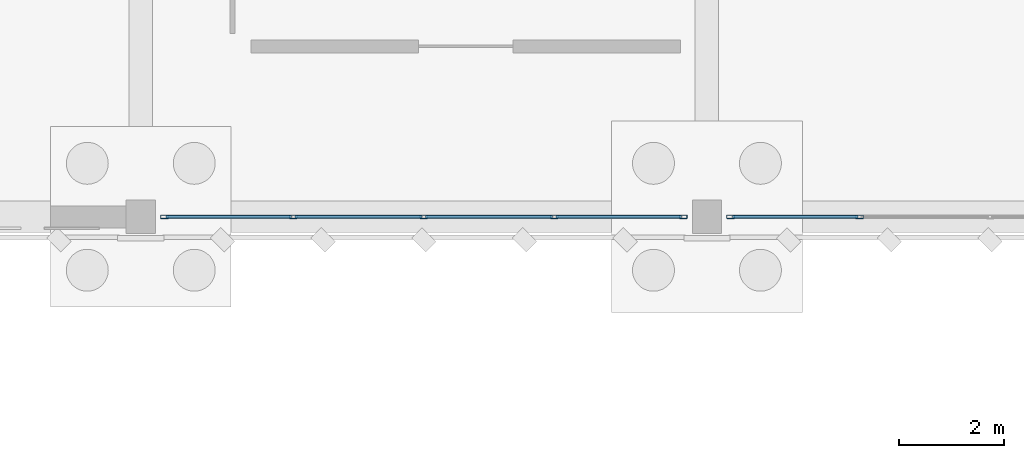
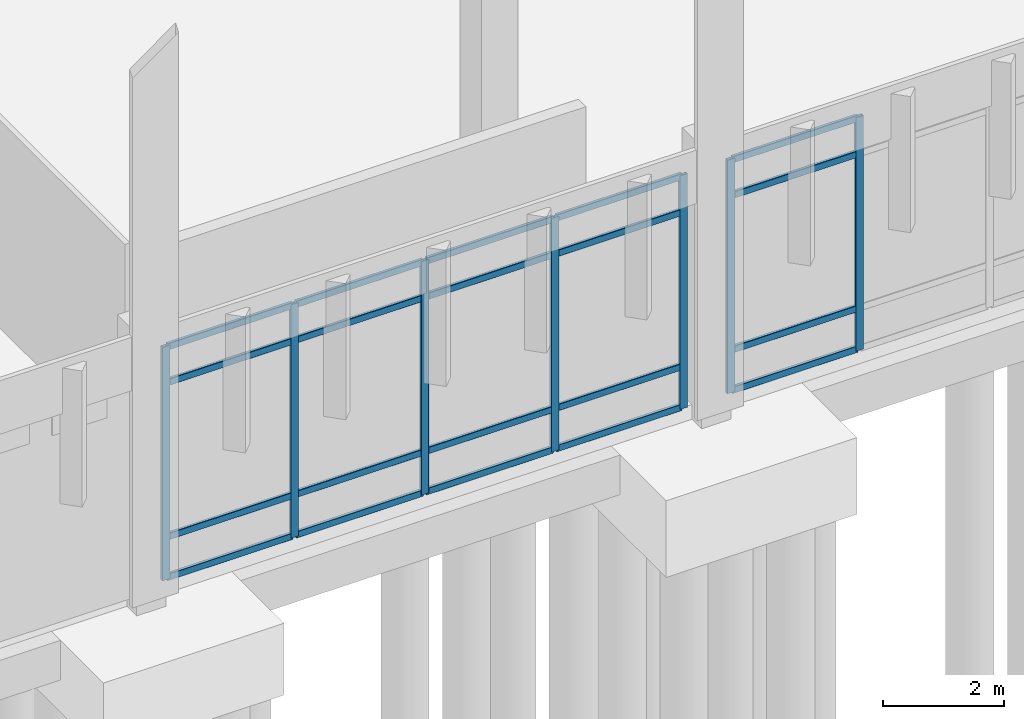
# One storey, part 45 of 109: 27 members, 2 elements without a shape of their own.
"""IFC4 building model written with IfcOpenShell, lengths in metres."""

from ifc_helpers import new_model, si_unit, direction, frame, origin, origin_2d, place, context, subcontext, project, spatial, hollow_rectangle, extrude, material, material_profile, profile_set, type_object, element, aggregate, save


model = new_model("IFC4")

# Units and contexts
model_context = context("Model", 3, precision=1e-05, world=origin(), true_north=direction((0.0, 1.0)))
body_context = subcontext(model_context, "Body", "Model", "MODEL_VIEW")
ifc_project = project(units=[si_unit("LENGTHUNIT", "METRE"), si_unit("AREAUNIT", "SQUARE_METRE"), si_unit("VOLUMEUNIT", "CUBIC_METRE"), si_unit("PLANEANGLEUNIT", "RADIAN"), si_unit("MASSUNIT", "GRAM", prefix="KILO")], contexts=[model_context])

# Site, building, storey
site_placement = place(None, origin())
site = spatial("IfcSite", under=ifc_project, at=site_placement, CompositionType="ELEMENT")
building_placement = place(site_placement, origin())
building = spatial("IfcBuilding", under=site, at=building_placement, Name="Lusvemor Sports Hall", CompositionType="ELEMENT")
storey_placement = place(building_placement, origin())
storey = spatial("IfcBuildingStorey", under=building, at=storey_placement, Name="L00", CompositionType="ELEMENT", Elevation=0.0)

# Curtain wall, members
ifc_material_1 = material(Name="Thermally broken bronze-anodized aluminium", Category="aluminium")
curtain_wall_type = type_object("IfcCurtainWallType", Name="CW_WING_B", PredefinedType="NOTDEFINED", material=ifc_material_1)
curtain_wall_1_placement = place(storey_placement, origin())
curtain_wall_1 = element("IfcCurtainWall", 1, at=curtain_wall_1_placement, inside=storey, type_object=curtain_wall_type, Name="Curtain Wall CW-L00-S-3-1", PredefinedType="NOTDEFINED")
ifc_material_2 = material(Name="Thermally broken bronze-anodized aluminium", Category="aluminium")
ifc_material_profile_1 = material_profile(ifc_material_2, hollow_rectangle(XDim=0.06494140625, YDim=0.14990234375, WallThickness=0.00390625, InnerFilletRadius=0.00390625, OuterFilletRadius=0.008056640625, at=origin_2d()), Name="CWMUL150x65x4")
ifc_profile_set_1 = profile_set([ifc_material_profile_1], Name="Thermally broken bronze-anodized aluminium")
member_type_1 = type_object("IfcMemberType", Name="CW_MUL_B", PredefinedType="MULLION", material=ifc_profile_set_1)
member_1_placement = place(storey_placement, frame((42.74755859375, 97.199951171875, 0.0), z_axis=(0.0, 0.0, 1.0), x_axis=(0.0, -1.0, 0.0)))
member_1 = element("IfcMember", 2, at=member_1_placement, type_object=member_type_1, Name="CW02 mullion 1", PredefinedType="MULLION", context=body_context, shape_type="SweptSolid", body=[
    extrude(hollow_rectangle(XDim=0.06494140625, YDim=0.14990234375, WallThickness=0.00390625, InnerFilletRadius=0.00390625, OuterFilletRadius=0.008056640625, at=origin_2d()), origin(), (0.0, 0.0, 1.0), 4.719970703125),
])
member_2_placement = place(storey_placement, frame((40.2900390625, 97.199951171875, 0.0), z_axis=(0.0, 0.0, 1.0), x_axis=(0.0, -1.0, 0.0)))
member_2 = element("IfcMember", 3, at=member_2_placement, type_object=member_type_1, Name="CW02 mullion 2", PredefinedType="MULLION", context=body_context, shape_type="SweptSolid", body=[
    extrude(hollow_rectangle(XDim=0.06494140625, YDim=0.14990234375, WallThickness=0.00390625, InnerFilletRadius=0.00390625, OuterFilletRadius=0.008056640625, at=origin_2d()), origin(), (0.0, 0.0, 1.0), 4.719970703125),
])
member_3_placement = place(storey_placement, frame((37.800048828125, 97.199951171875, 0.0), z_axis=(0.0, 0.0, 1.0), x_axis=(0.0, -1.0, 0.0)))
member_3 = element("IfcMember", 4, at=member_3_placement, type_object=member_type_1, Name="CW02 mullion 3", PredefinedType="MULLION", context=body_context, shape_type="SweptSolid", body=[
    extrude(hollow_rectangle(XDim=0.06494140625, YDim=0.14990234375, WallThickness=0.00390625, InnerFilletRadius=0.00390625, OuterFilletRadius=0.008056640625, at=origin_2d()), origin(), (0.0, 0.0, 1.0), 4.719970703125),
])
member_4_placement = place(storey_placement, frame((35.31005859375, 97.199951171875, 0.0), z_axis=(0.0, 0.0, 1.0), x_axis=(0.0, -1.0, 0.0)))
member_4 = element("IfcMember", 5, at=member_4_placement, type_object=member_type_1, Name="CW02 mullion 4", PredefinedType="MULLION", context=body_context, shape_type="SweptSolid", body=[
    extrude(hollow_rectangle(XDim=0.06494140625, YDim=0.14990234375, WallThickness=0.00390625, InnerFilletRadius=0.00390625, OuterFilletRadius=0.008056640625, at=origin_2d()), origin(), (0.0, 0.0, 1.0), 4.719970703125),
])
member_5_placement = place(storey_placement, frame((32.8525390625, 97.199951171875, 0.0), z_axis=(0.0, 0.0, 1.0), x_axis=(0.0, -1.0, 0.0)))
member_5 = element("IfcMember", 6, at=member_5_placement, type_object=member_type_1, Name="CW02 mullion 5", PredefinedType="MULLION", context=body_context, shape_type="SweptSolid", body=[
    extrude(hollow_rectangle(XDim=0.06494140625, YDim=0.14990234375, WallThickness=0.00390625, InnerFilletRadius=0.00390625, OuterFilletRadius=0.008056640625, at=origin_2d()), origin(), (0.0, 0.0, 1.0), 4.719970703125),
])

curtain_wall_2_placement = place(storey_placement, origin())
curtain_wall_2 = element("IfcCurtainWall", 7, at=curtain_wall_2_placement, inside=storey, type_object=curtain_wall_type, Name="Curtain Wall CW-L00-S-3-2", PredefinedType="NOTDEFINED")
member_6_placement = place(storey_placement, frame((46.110107421875, 97.199951171875, 0.0), z_axis=(0.0, 0.0, 1.0), x_axis=(0.0, -1.0, 0.0)))
member_6 = element("IfcMember", 8, at=member_6_placement, type_object=member_type_1, Name="CW02 mullion 4", PredefinedType="MULLION", context=body_context, shape_type="SweptSolid", body=[
    extrude(hollow_rectangle(XDim=0.06494140625, YDim=0.14990234375, WallThickness=0.00390625, InnerFilletRadius=0.00390625, OuterFilletRadius=0.008056640625, at=origin_2d()), origin(), (0.0, 0.0, 1.0), 4.719970703125),
])
member_7_placement = place(storey_placement, frame((43.652587890625, 97.199951171875, 0.0), z_axis=(0.0, 0.0, 1.0), x_axis=(0.0, -1.0, 0.0)))
member_7 = element("IfcMember", 9, at=member_7_placement, type_object=member_type_1, Name="CW02 mullion 5", PredefinedType="MULLION", context=body_context, shape_type="SweptSolid", body=[
    extrude(hollow_rectangle(XDim=0.06494140625, YDim=0.14990234375, WallThickness=0.00390625, InnerFilletRadius=0.00390625, OuterFilletRadius=0.008056640625, at=origin_2d()), origin(), (0.0, 0.0, 1.0), 4.719970703125),
])

# Member
ifc_material_3 = material(Name="Thermally broken bronze-anodized aluminium", Category="aluminium")
ifc_material_profile_2 = material_profile(ifc_material_3, hollow_rectangle(XDim=0.06005859375, YDim=0.135009765625, WallThickness=0.00390625, InnerFilletRadius=0.00390625, OuterFilletRadius=0.008056640625, at=origin_2d()), Name="CWTRN135x60x4")
ifc_profile_set_2 = profile_set([ifc_material_profile_2], Name="Thermally broken bronze-anodized aluminium")
member_type_2 = type_object("IfcMemberType", Name="CW_TRN_B", PredefinedType="USERDEFINED", material=ifc_profile_set_2)
member_8_placement = place(storey_placement, frame((42.715087890625, 97.199951171875, 0.030029296875), z_axis=(-1.0, 0.0, 0.0), x_axis=(0.0, -1.0, 0.0)))
member_8 = element("IfcMember", 10, at=member_8_placement, type_object=member_type_2, Name="CW02 transom 1.1", ObjectType="TRANSOM", PredefinedType="USERDEFINED", context=body_context, shape_type="SweptSolid", body=[
    extrude(hollow_rectangle(XDim=0.06005859375, YDim=0.135009765625, WallThickness=0.00390625, InnerFilletRadius=0.00390625, OuterFilletRadius=0.008056640625, at=origin_2d()), origin(), (0.0, 0.0, 1.0), 2.392578125),
])

member_9_placement = place(storey_placement, frame((42.715087890625, 97.199951171875, 0.85009765625), z_axis=(-1.0, 0.0, 0.0), x_axis=(0.0, -1.0, 0.0)))
member_9 = element("IfcMember", 11, at=member_9_placement, type_object=member_type_2, Name="CW02 transom 1.2", ObjectType="TRANSOM", PredefinedType="USERDEFINED", context=body_context, shape_type="SweptSolid", body=[
    extrude(hollow_rectangle(XDim=0.06005859375, YDim=0.135009765625, WallThickness=0.00390625, InnerFilletRadius=0.00390625, OuterFilletRadius=0.008056640625, at=origin_2d()), origin(), (0.0, 0.0, 1.0), 2.392578125),
])

member_10_placement = place(storey_placement, frame((42.715087890625, 97.199951171875, 3.969970703125), z_axis=(-1.0, 0.0, 0.0), x_axis=(0.0, -1.0, 0.0)))
member_10 = element("IfcMember", 12, at=member_10_placement, type_object=member_type_2, Name="CW02 transom 1.3", ObjectType="TRANSOM", PredefinedType="USERDEFINED", context=body_context, shape_type="SweptSolid", body=[
    extrude(hollow_rectangle(XDim=0.06005859375, YDim=0.135009765625, WallThickness=0.00390625, InnerFilletRadius=0.00390625, OuterFilletRadius=0.008056640625, at=origin_2d()), origin(), (0.0, 0.0, 1.0), 2.392578125),
])

member_11_placement = place(storey_placement, frame((42.715087890625, 97.199951171875, 4.68994140625), z_axis=(-1.0, 0.0, 0.0), x_axis=(0.0, -1.0, 0.0)))
member_11 = element("IfcMember", 13, at=member_11_placement, type_object=member_type_2, Name="CW02 transom 1.4", ObjectType="TRANSOM", PredefinedType="USERDEFINED", context=body_context, shape_type="SweptSolid", body=[
    extrude(hollow_rectangle(XDim=0.06005859375, YDim=0.135009765625, WallThickness=0.00390625, InnerFilletRadius=0.00390625, OuterFilletRadius=0.008056640625, at=origin_2d()), origin(), (0.0, 0.0, 1.0), 2.392578125),
])

member_12_placement = place(storey_placement, frame((40.257568359375, 97.199951171875, 0.030029296875), z_axis=(-1.0, 0.0, 0.0), x_axis=(0.0, -1.0, 0.0)))
member_12 = element("IfcMember", 14, at=member_12_placement, type_object=member_type_2, Name="CW02 transom 2.1", ObjectType="TRANSOM", PredefinedType="USERDEFINED", context=body_context, shape_type="SweptSolid", body=[
    extrude(hollow_rectangle(XDim=0.06005859375, YDim=0.135009765625, WallThickness=0.00390625, InnerFilletRadius=0.00390625, OuterFilletRadius=0.008056640625, at=origin_2d()), origin(), (0.0, 0.0, 1.0), 2.425048828125),
])

member_13_placement = place(storey_placement, frame((40.257568359375, 97.199951171875, 0.85009765625), z_axis=(-1.0, 0.0, 0.0), x_axis=(0.0, -1.0, 0.0)))
member_13 = element("IfcMember", 15, at=member_13_placement, type_object=member_type_2, Name="CW02 transom 2.2", ObjectType="TRANSOM", PredefinedType="USERDEFINED", context=body_context, shape_type="SweptSolid", body=[
    extrude(hollow_rectangle(XDim=0.06005859375, YDim=0.135009765625, WallThickness=0.00390625, InnerFilletRadius=0.00390625, OuterFilletRadius=0.008056640625, at=origin_2d()), origin(), (0.0, 0.0, 1.0), 2.425048828125),
])

member_14_placement = place(storey_placement, frame((40.257568359375, 97.199951171875, 3.969970703125), z_axis=(-1.0, 0.0, 0.0), x_axis=(0.0, -1.0, 0.0)))
member_14 = element("IfcMember", 16, at=member_14_placement, type_object=member_type_2, Name="CW02 transom 2.3", ObjectType="TRANSOM", PredefinedType="USERDEFINED", context=body_context, shape_type="SweptSolid", body=[
    extrude(hollow_rectangle(XDim=0.06005859375, YDim=0.135009765625, WallThickness=0.00390625, InnerFilletRadius=0.00390625, OuterFilletRadius=0.008056640625, at=origin_2d()), origin(), (0.0, 0.0, 1.0), 2.425048828125),
])

member_15_placement = place(storey_placement, frame((40.257568359375, 97.199951171875, 4.68994140625), z_axis=(-1.0, 0.0, 0.0), x_axis=(0.0, -1.0, 0.0)))
member_15 = element("IfcMember", 17, at=member_15_placement, type_object=member_type_2, Name="CW02 transom 2.4", ObjectType="TRANSOM", PredefinedType="USERDEFINED", context=body_context, shape_type="SweptSolid", body=[
    extrude(hollow_rectangle(XDim=0.06005859375, YDim=0.135009765625, WallThickness=0.00390625, InnerFilletRadius=0.00390625, OuterFilletRadius=0.008056640625, at=origin_2d()), origin(), (0.0, 0.0, 1.0), 2.425048828125),
])

member_16_placement = place(storey_placement, frame((37.767578125, 97.199951171875, 0.030029296875), z_axis=(-1.0, 0.0, 0.0), x_axis=(0.0, -1.0, 0.0)))
member_16 = element("IfcMember", 18, at=member_16_placement, type_object=member_type_2, Name="CW02 transom 3.1", ObjectType="TRANSOM", PredefinedType="USERDEFINED", context=body_context, shape_type="SweptSolid", body=[
    extrude(hollow_rectangle(XDim=0.06005859375, YDim=0.135009765625, WallThickness=0.00390625, InnerFilletRadius=0.00390625, OuterFilletRadius=0.008056640625, at=origin_2d()), origin(), (0.0, 0.0, 1.0), 2.425048828125),
])

member_17_placement = place(storey_placement, frame((37.767578125, 97.199951171875, 0.85009765625), z_axis=(-1.0, 0.0, 0.0), x_axis=(0.0, -1.0, 0.0)))
member_17 = element("IfcMember", 19, at=member_17_placement, type_object=member_type_2, Name="CW02 transom 3.2", ObjectType="TRANSOM", PredefinedType="USERDEFINED", context=body_context, shape_type="SweptSolid", body=[
    extrude(hollow_rectangle(XDim=0.06005859375, YDim=0.135009765625, WallThickness=0.00390625, InnerFilletRadius=0.00390625, OuterFilletRadius=0.008056640625, at=origin_2d()), origin(), (0.0, 0.0, 1.0), 2.425048828125),
])

member_18_placement = place(storey_placement, frame((37.767578125, 97.199951171875, 3.969970703125), z_axis=(-1.0, 0.0, 0.0), x_axis=(0.0, -1.0, 0.0)))
member_18 = element("IfcMember", 20, at=member_18_placement, type_object=member_type_2, Name="CW02 transom 3.3", ObjectType="TRANSOM", PredefinedType="USERDEFINED", context=body_context, shape_type="SweptSolid", body=[
    extrude(hollow_rectangle(XDim=0.06005859375, YDim=0.135009765625, WallThickness=0.00390625, InnerFilletRadius=0.00390625, OuterFilletRadius=0.008056640625, at=origin_2d()), origin(), (0.0, 0.0, 1.0), 2.425048828125),
])

member_19_placement = place(storey_placement, frame((37.767578125, 97.199951171875, 4.68994140625), z_axis=(-1.0, 0.0, 0.0), x_axis=(0.0, -1.0, 0.0)))
member_19 = element("IfcMember", 21, at=member_19_placement, type_object=member_type_2, Name="CW02 transom 3.4", ObjectType="TRANSOM", PredefinedType="USERDEFINED", context=body_context, shape_type="SweptSolid", body=[
    extrude(hollow_rectangle(XDim=0.06005859375, YDim=0.135009765625, WallThickness=0.00390625, InnerFilletRadius=0.00390625, OuterFilletRadius=0.008056640625, at=origin_2d()), origin(), (0.0, 0.0, 1.0), 2.425048828125),
])

member_20_placement = place(storey_placement, frame((35.277587890625, 97.199951171875, 0.030029296875), z_axis=(-1.0, 0.0, 0.0), x_axis=(0.0, -1.0, 0.0)))
member_20 = element("IfcMember", 22, at=member_20_placement, type_object=member_type_2, Name="CW02 transom 4.1", ObjectType="TRANSOM", PredefinedType="USERDEFINED", context=body_context, shape_type="SweptSolid", body=[
    extrude(hollow_rectangle(XDim=0.06005859375, YDim=0.135009765625, WallThickness=0.00390625, InnerFilletRadius=0.00390625, OuterFilletRadius=0.008056640625, at=origin_2d()), origin(), (0.0, 0.0, 1.0), 2.392578125),
])

member_21_placement = place(storey_placement, frame((35.277587890625, 97.199951171875, 0.85009765625), z_axis=(-1.0, 0.0, 0.0), x_axis=(0.0, -1.0, 0.0)))
member_21 = element("IfcMember", 23, at=member_21_placement, type_object=member_type_2, Name="CW02 transom 4.2", ObjectType="TRANSOM", PredefinedType="USERDEFINED", context=body_context, shape_type="SweptSolid", body=[
    extrude(hollow_rectangle(XDim=0.06005859375, YDim=0.135009765625, WallThickness=0.00390625, InnerFilletRadius=0.00390625, OuterFilletRadius=0.008056640625, at=origin_2d()), origin(), (0.0, 0.0, 1.0), 2.392578125),
])

member_22_placement = place(storey_placement, frame((35.277587890625, 97.199951171875, 3.969970703125), z_axis=(-1.0, 0.0, 0.0), x_axis=(0.0, -1.0, 0.0)))
member_22 = element("IfcMember", 24, at=member_22_placement, type_object=member_type_2, Name="CW02 transom 4.3", ObjectType="TRANSOM", PredefinedType="USERDEFINED", context=body_context, shape_type="SweptSolid", body=[
    extrude(hollow_rectangle(XDim=0.06005859375, YDim=0.135009765625, WallThickness=0.00390625, InnerFilletRadius=0.00390625, OuterFilletRadius=0.008056640625, at=origin_2d()), origin(), (0.0, 0.0, 1.0), 2.392578125),
])

member_23_placement = place(storey_placement, frame((35.277587890625, 97.199951171875, 4.68994140625), z_axis=(-1.0, 0.0, 0.0), x_axis=(0.0, -1.0, 0.0)))
member_23 = element("IfcMember", 25, at=member_23_placement, type_object=member_type_2, Name="CW02 transom 4.4", ObjectType="TRANSOM", PredefinedType="USERDEFINED", context=body_context, shape_type="SweptSolid", body=[
    extrude(hollow_rectangle(XDim=0.06005859375, YDim=0.135009765625, WallThickness=0.00390625, InnerFilletRadius=0.00390625, OuterFilletRadius=0.008056640625, at=origin_2d()), origin(), (0.0, 0.0, 1.0), 2.392578125),
])

aggregate(curtain_wall_1, [member_1, member_2, member_3, member_4, member_5, member_8, member_9, member_10, member_11, member_12, member_13, member_14, member_15, member_16, member_17, member_18, member_19, member_20, member_21, member_22, member_23])

member_24_placement = place(storey_placement, frame((46.077392578125, 97.199951171875, 0.030029296875), z_axis=(-1.0, 0.0, 0.0), x_axis=(0.0, -1.0, 0.0)))
member_24 = element("IfcMember", 26, at=member_24_placement, type_object=member_type_2, Name="CW02 transom 4.1", ObjectType="TRANSOM", PredefinedType="USERDEFINED", context=body_context, shape_type="SweptSolid", body=[
    extrude(hollow_rectangle(XDim=0.06005859375, YDim=0.135009765625, WallThickness=0.00390625, InnerFilletRadius=0.00390625, OuterFilletRadius=0.008056640625, at=origin_2d()), origin(), (0.0, 0.0, 1.0), 2.392333984375),
])

member_25_placement = place(storey_placement, frame((46.077392578125, 97.199951171875, 0.85009765625), z_axis=(-1.0, 0.0, 0.0), x_axis=(0.0, -1.0, 0.0)))
member_25 = element("IfcMember", 27, at=member_25_placement, type_object=member_type_2, Name="CW02 transom 4.2", ObjectType="TRANSOM", PredefinedType="USERDEFINED", context=body_context, shape_type="SweptSolid", body=[
    extrude(hollow_rectangle(XDim=0.06005859375, YDim=0.135009765625, WallThickness=0.00390625, InnerFilletRadius=0.00390625, OuterFilletRadius=0.008056640625, at=origin_2d()), origin(), (0.0, 0.0, 1.0), 2.392333984375),
])

member_26_placement = place(storey_placement, frame((46.077392578125, 97.199951171875, 3.969970703125), z_axis=(-1.0, 0.0, 0.0), x_axis=(0.0, -1.0, 0.0)))
member_26 = element("IfcMember", 28, at=member_26_placement, type_object=member_type_2, Name="CW02 transom 4.3", ObjectType="TRANSOM", PredefinedType="USERDEFINED", context=body_context, shape_type="SweptSolid", body=[
    extrude(hollow_rectangle(XDim=0.06005859375, YDim=0.135009765625, WallThickness=0.00390625, InnerFilletRadius=0.00390625, OuterFilletRadius=0.008056640625, at=origin_2d()), origin(), (0.0, 0.0, 1.0), 2.392333984375),
])

member_27_placement = place(storey_placement, frame((46.077392578125, 97.199951171875, 4.68994140625), z_axis=(-1.0, 0.0, 0.0), x_axis=(0.0, -1.0, 0.0)))
member_27 = element("IfcMember", 29, at=member_27_placement, type_object=member_type_2, Name="CW02 transom 4.4", ObjectType="TRANSOM", PredefinedType="USERDEFINED", context=body_context, shape_type="SweptSolid", body=[
    extrude(hollow_rectangle(XDim=0.06005859375, YDim=0.135009765625, WallThickness=0.00390625, InnerFilletRadius=0.00390625, OuterFilletRadius=0.008056640625, at=origin_2d()), origin(), (0.0, 0.0, 1.0), 2.392333984375),
])

aggregate(curtain_wall_2, [member_6, member_7, member_24, member_25, member_26, member_27])

save(model, "model.ifc")
